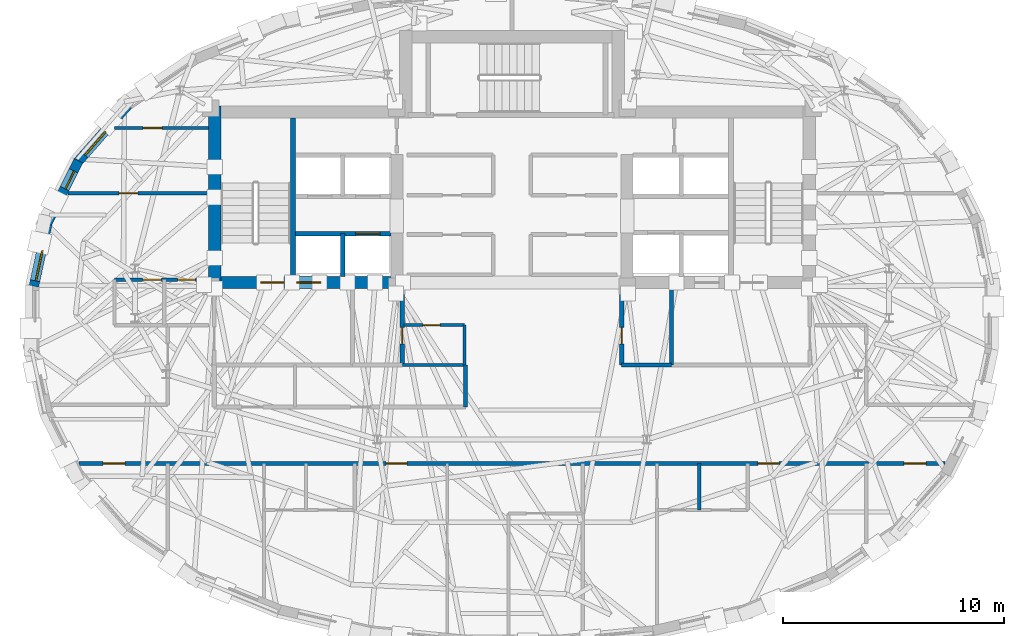
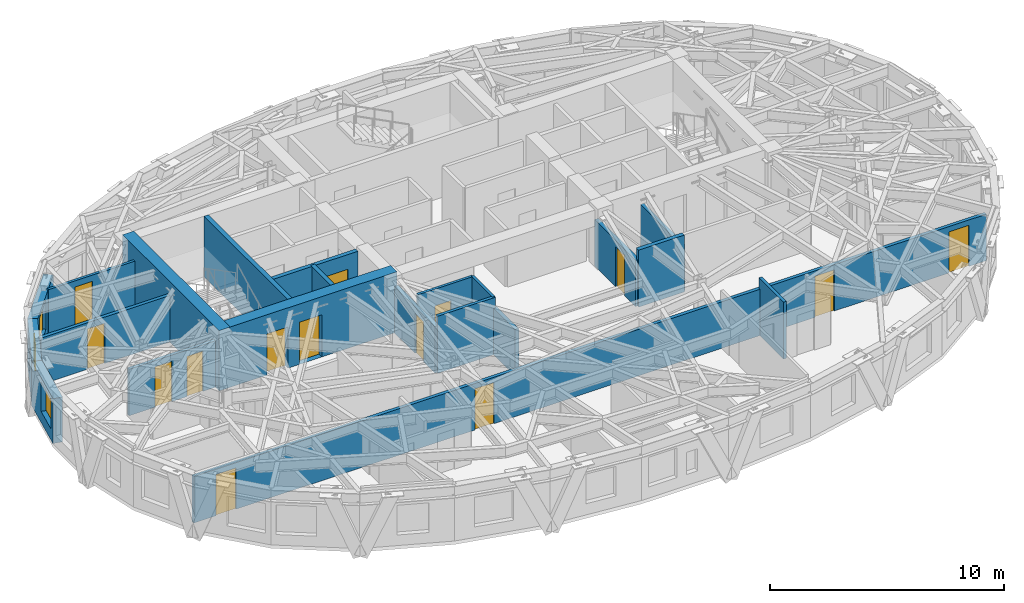
# One storey, part 7 of 13: 21 walls, 14 doors, 3 windows, 17 openings.
"""IFC4 building model written with IfcOpenShell, lengths in metres."""

from ifc_helpers import new_model, si_unit, direction, frame, frame_2d, origin, place, context, subcontext, project, spatial, rectangle, extrude, material, layer, layer_set, type_object, element, fill, save


model = new_model("IFC4")

# Units and contexts
model_context = context("Model", 3, precision=1e-05, world=origin(), true_north=direction((0.0, 1.0)))
body_context = subcontext(model_context, "Body", "Model", "MODEL_VIEW")
ifc_project = project(units=[si_unit("LENGTHUNIT", "METRE"), si_unit("AREAUNIT", "SQUARE_METRE"), si_unit("VOLUMEUNIT", "CUBIC_METRE"), si_unit("PLANEANGLEUNIT", "RADIAN"), si_unit("MASSUNIT", "GRAM", prefix="KILO")], contexts=[model_context])

# Site, building, storey
site_placement = place(None, origin())
site = spatial("IfcSite", under=ifc_project, at=site_placement, CompositionType="ELEMENT")
building_placement = place(site_placement, origin())
building = spatial("IfcBuilding", under=site, at=building_placement, Name="Keldmark Tower", CompositionType="ELEMENT")
storey_placement = place(building_placement, frame((0.0, 0.0, 235.199951171875)))
storey = spatial("IfcBuildingStorey", under=building, at=storey_placement, Name="L66", CompositionType="ELEMENT", Elevation=235.199951171875)

# Walls
ifc_material_1 = material(Name="Heavy Acoustic Plumbing Chase Gypsum Assembly", Category="gypsum")
ifc_layer_1 = layer(ifc_material_1, 0.18994140625)
ifc_layer_set_1 = layer_set([ifc_layer_1], Name="Heavy Acoustic Plumbing Chase Gypsum Assembly")
wall_type_1 = type_object("IfcWallType", Name="Heavy Wet Wall 190 mm", PredefinedType="PLUMBINGWALL", material=ifc_layer_set_1)
wall_1_placement = place(storey_placement, frame((-2.10009765625, -4.050048828125, 0.0), z_axis=(0.0, 0.0, 1.0), x_axis=(0.0, 1.0, 0.0)))
element("IfcWall", 1, at=wall_1_placement, inside=storey, type_object=wall_type_1, Name="L66 Heavy Wet Wall 190 mm SPK-W-E", PredefinedType="PLUMBINGWALL", context=body_context, shape_type="SweptSolid", body=[
    extrude(rectangle(XDim=1.900146484375, YDim=0.18994140625, at=frame_2d((0.9501953125, 0.0))), origin(), (0.0, 0.0, 1.0), 2.423095703125),
])
ifc_material_2 = material(Name="Concrete C50/60", Category="concrete")
ifc_layer_2 = layer(ifc_material_2, 0.550048828125)
ifc_layer_set_2 = layer_set([ifc_layer_2], Name="Concrete C50/60")
wall_type_2 = type_object("IfcWallType", Name="High-Rise Core Shear Wall 550 mm", PredefinedType="SHEAR", material=ifc_layer_set_2)
wall_2_placement = place(storey_placement, frame((-13.425048828125, 1.300048828125, 0.0), z_axis=(0.0, 0.0, 1.0), x_axis=(0.0, 1.0, 0.0)))
element("IfcWall", 2, at=wall_2_placement, inside=storey, type_object=wall_type_2, Name="L66 West Core Outer Shear Wall", PredefinedType="SHEAR", context=body_context, shape_type="SweptSolid", body=[
    extrude(rectangle(XDim=8.25, YDim=0.550048828125, at=frame_2d((4.125, 0.0))), origin(), (0.0, 0.0, 1.0), 3.150146484375),
])

# Wall, openings, doors
wall_3_placement = place(storey_placement, frame((-4.925048828125, 1.574951171875, 0.0), z_axis=(0.0, 0.0, 1.0), x_axis=(-1.0, 0.0, 0.0)))
wall_3 = element("IfcWall", 3, at=wall_3_placement, inside=storey, type_object=wall_type_2, Name="L66 West Core South Shear Wall", PredefinedType="SHEAR", context=body_context, shape_type="SweptSolid", body=[
    extrude(rectangle(XDim=8.77490234375, YDim=0.550048828125, at=frame_2d((4.387451171875, 0.0))), origin(), (0.0, 0.0, 1.0), 3.150146484375),
])
opening_1_placement = place(wall_3_placement, frame((5.375, 0.0, 0.0)))
opening_1 = element("IfcOpeningElement", 4, at=opening_1_placement, cuts=wall_3, Name="Opening D-ST105", PredefinedType="OPENING", context=body_context, shape_type="SweptSolid", body=[
    extrude(rectangle(XDim=1.050048828125, YDim=2.14990234375, at=frame_2d((0.52490234375, 1.074951171875))), frame((0.0, 0.284912109375, 0.0), z_axis=(0.0, -1.0, 0.0), x_axis=(1.0, 0.0, 0.0)), (0.0, 0.0, 1.0), 0.570068359375),
])
opening_2_placement = place(wall_3_placement, frame((3.705078125, 0.0, 0.0)))
opening_2 = element("IfcOpeningElement", 5, at=opening_2_placement, cuts=wall_3, Name="Opening LD-110", PredefinedType="OPENING", context=body_context, shape_type="SweptSolid", body=[
    extrude(rectangle(XDim=1.10009765625, YDim=2.199951171875, at=frame_2d((0.550048828125, 1.10009765625))), frame((0.0, 0.284912109375, 0.0), z_axis=(0.0, -1.0, 0.0), x_axis=(1.0, 0.0, 0.0)), (0.0, 0.0, 1.0), 0.570068359375),
])
ifc_material_3 = material(Name="Brushed Bronze Hoistway Sliding Leaf", Category="metal")
door_type_1 = type_object("IfcDoorType", Name="Lift Landing Sliding Door 1100x2200", OperationType="SLIDING_TO_LEFT", PredefinedType="DOOR", material=ifc_material_3)
door_1_placement = place(opening_2_placement, origin())
door_1 = element("IfcDoor", 6, at=door_1_placement, inside=storey, type_object=door_type_1, Name="L66 Lift Landing Sliding Door 1100x2200 LD-EL-FS1-L66", OperationType="SLIDING_TO_LEFT", OverallHeight=2.199951171875, OverallWidth=1.10009765625, PredefinedType="DOOR", context=body_context, shape_type="SweptSolid", body=[
    extrude(rectangle(XDim=1.10009765625, YDim=2.199951171875, at=frame_2d((0.550048828125, 1.10009765625))), frame((0.0, 0.02490234375, 0.0), z_axis=(0.0, -1.0, 0.0), x_axis=(1.0, 0.0, 0.0)), (0.0, 0.0, 1.0), 0.050048828125),
])
fill(opening_2, door_1)
ifc_material_4 = material(Name="Hollow Metal Fire-Rated Door Assembly", Category="metal")
door_type_2 = type_object("IfcDoorType", Name="Stair Fire Door 1050x2150", OperationType="NOTDEFINED", PredefinedType="DOOR", material=ifc_material_4)
door_2_placement = place(opening_1_placement, origin())
door_2 = element("IfcDoor", 7, at=door_2_placement, inside=storey, type_object=door_type_2, Name="L66 Stair Fire Door 1050x2150 D-ST1-L66", OperationType="SINGLE_SWING_RIGHT", OverallHeight=2.14990234375, OverallWidth=1.050048828125, PredefinedType="DOOR", context=body_context, shape_type="SweptSolid", body=[
    extrude(rectangle(XDim=1.050048828125, YDim=2.14990234375, at=frame_2d((0.52490234375, 1.074951171875))), frame((0.0, 0.02490234375, 0.0), z_axis=(0.0, -1.0, 0.0), x_axis=(1.0, 0.0, 0.0)), (0.0, 0.0, 1.0), 0.050048828125),
])
fill(opening_1, door_2)

# Wall, opening, door
ifc_material_5 = material(Name="Acoustic Gypsum Board Interior Partition", Category="gypsum")
ifc_layer_3 = layer(ifc_material_5, 0.1298828125)
ifc_layer_set_3 = layer_set([ifc_layer_3], Name="Acoustic Gypsum Board Interior Partition")
wall_type_3 = type_object("IfcWallType", Name="Interior Partition 130 mm", PredefinedType="PARTITIONING", material=ifc_layer_set_3)
wall_4_placement = place(storey_placement, frame((-4.8798828125, -0.35009765625, 0.0), z_axis=(0.0, 0.0, 1.0), x_axis=(1.0, 0.0, 0.0)))
wall_4 = element("IfcWall", 8, at=wall_4_placement, inside=storey, type_object=wall_type_3, Name="L66 Interior Partition 130 mm CSC-W-N", PredefinedType="PARTITIONING", context=body_context, shape_type="SweptSolid", body=[
    extrude(rectangle(XDim=2.72998046875, YDim=0.1298828125, at=frame_2d((1.364990234375, 0.0))), origin(), (0.0, 0.0, 1.0), 2.969970703125),
])
opening_3_placement = place(wall_4_placement, frame((0.85009765625, 0.0, 0.0)))
opening_3 = element("IfcOpeningElement", 9, at=opening_3_placement, cuts=wall_4, Name="Opening D-CL078", PredefinedType="OPENING", context=body_context, shape_type="SweptSolid", body=[
    extrude(rectangle(XDim=0.780029296875, YDim=2.10009765625, at=frame_2d((0.39013671875, 1.050048828125))), frame((0.0, 0.074951171875, 0.0), z_axis=(0.0, -1.0, 0.0), x_axis=(1.0, 0.0, 0.0)), (0.0, 0.0, 1.0), 0.14990234375),
])
ifc_material_6 = material(Name="Flush Utility Closet Timber Door", Category="wood")
door_type_3 = type_object("IfcDoorType", Name="Closet Door 780x2100", OperationType="NOTDEFINED", PredefinedType="DOOR", material=ifc_material_6)
door_3_placement = place(opening_3_placement, origin())
door_3 = element("IfcDoor", 10, at=door_3_placement, inside=storey, type_object=door_type_3, Name="L66 Closet Door 780x2100 D-CSCW1-L66", OperationType="SINGLE_SWING_LEFT", OverallHeight=2.10009765625, OverallWidth=0.780029296875, PredefinedType="DOOR", context=body_context, shape_type="SweptSolid", body=[
    extrude(rectangle(XDim=0.780029296875, YDim=2.10009765625, at=frame_2d((0.39013671875, 1.050048828125))), frame((0.0, 0.02490234375, 0.0), z_axis=(0.0, -1.0, 0.0), x_axis=(1.0, 0.0, 0.0)), (0.0, 0.0, 1.0), 0.050048828125),
])
fill(opening_3, door_3)

# Wall
wall_5_placement = place(storey_placement, frame((-2.14990234375, -2.14990234375, 0.0), z_axis=(0.0, 0.0, 1.0), x_axis=(0.0, 1.0, 0.0)))
element("IfcWall", 11, at=wall_5_placement, inside=storey, type_object=wall_type_3, Name="L66 Interior Partition 130 mm CSC-W-E", PredefinedType="PARTITIONING", context=body_context, shape_type="SweptSolid", body=[
    extrude(rectangle(XDim=1.7998046875, YDim=0.1298828125, at=frame_2d((0.89990234375, 0.0))), origin(), (0.0, 0.0, 1.0), 2.969970703125),
])

# Wall, opening, door
wall_6_placement = place(storey_placement, frame((-17.958251953125, 8.550048828125, 0.0), z_axis=(0.0, 0.0, 1.0), x_axis=(1.0, 0.0, 0.0)))
wall_6 = element("IfcWall", 12, at=wall_6_placement, inside=storey, type_object=wall_type_3, Name="L66 Interior Partition 130 mm UC-NDIV2", PredefinedType="PARTITIONING", context=body_context, shape_type="SweptSolid", body=[
    extrude(rectangle(XDim=4.25830078125, YDim=0.1298828125, at=frame_2d((2.129150390625, 0.0))), origin(), (0.0, 0.0, 1.0), 2.423095703125),
])
opening_4_placement = place(wall_6_placement, frame((1.302001953125, 0.0, 0.0)))
opening_4 = element("IfcOpeningElement", 13, at=opening_4_placement, cuts=wall_6, Name="Opening D-IN085", PredefinedType="OPENING", context=body_context, shape_type="SweptSolid", body=[
    extrude(rectangle(XDim=0.85009765625, YDim=2.10009765625, at=frame_2d((0.425048828125, 1.050048828125))), frame((0.0, 0.074951171875, 0.0), z_axis=(0.0, -1.0, 0.0), x_axis=(1.0, 0.0, 0.0)), (0.0, 0.0, 1.0), 0.14990234375),
])
ifc_material_7 = material(Name="Painted Architectural Wood", Category="wood")
door_type_4 = type_object("IfcDoorType", Name="Interior Door 850x2100", OperationType="NOTDEFINED", PredefinedType="DOOR", material=ifc_material_7)
door_4_placement = place(opening_4_placement, origin())
door_4 = element("IfcDoor", 14, at=door_4_placement, inside=storey, type_object=door_type_4, Name="L66 Interior Door 850x2100 D-UC-BR2-L66", OperationType="SINGLE_SWING_RIGHT", OverallHeight=2.10009765625, OverallWidth=0.85009765625, PredefinedType="DOOR", context=body_context, shape_type="SweptSolid", body=[
    extrude(rectangle(XDim=0.85009765625, YDim=2.10009765625, at=frame_2d((0.425048828125, 1.050048828125))), frame((0.0, 0.02490234375, 0.0), z_axis=(0.0, -1.0, 0.0), x_axis=(1.0, 0.0, 0.0)), (0.0, 0.0, 1.0), 0.050048828125),
])
fill(opening_4, door_4)

# Wall
ifc_material_8 = material(Name="Type X Fire-Rated Gypsum Partition Assembly", Category="gypsum")
ifc_layer_4 = layer(ifc_material_8, 0.1650390625)
ifc_layer_set_4 = layer_set([ifc_layer_4], Name="Type X Fire-Rated Gypsum Partition Assembly")
wall_type_4 = type_object("IfcWallType", Name="Rated Partition 165 mm", PredefinedType="PARTITIONING", material=ifc_layer_set_4)
wall_7_placement = place(storey_placement, frame((7.199951171875, -2.14990234375, 0.0), z_axis=(0.0, 0.0, 1.0), x_axis=(0.0, 1.0, 0.0)))
element("IfcWall", 15, at=wall_7_placement, inside=storey, type_object=wall_type_4, Name="L66 Rated Partition 165 mm FSAE-E-W", PredefinedType="PARTITIONING", context=body_context, shape_type="SweptSolid", body=[
    extrude(rectangle(XDim=3.5, YDim=0.1650390625, at=frame_2d((1.75, 0.0))), origin(), (0.0, 0.0, 1.0), 2.423095703125),
])

# Wall, openings, doors
wall_8_placement = place(storey_placement, frame((-19.55810546875, -6.60009765625, 0.0), z_axis=(0.0, 0.0, 1.0), x_axis=(1.0, 0.0, 0.0)))
wall_8 = element("IfcWall", 16, at=wall_8_placement, inside=storey, type_object=wall_type_4, Name="L66 Rated Partition 165 mm RCOR-S", PredefinedType="PARTITIONING", context=body_context, shape_type="SweptSolid", body=[
    extrude(rectangle(XDim=39.1162109375, YDim=0.1650390625, at=frame_2d((19.55810546875, 0.0))), origin(), (0.0, 0.0, 1.0), 2.423095703125),
])
opening_5_placement = place(wall_8_placement, frame((1.0830078125, 0.0, 0.0)))
opening_5 = element("IfcOpeningElement", 17, at=opening_5_placement, cuts=wall_8, Name="Opening D-FD100", PredefinedType="OPENING", context=body_context, shape_type="SweptSolid", body=[
    extrude(rectangle(XDim=1.0, YDim=2.14990234375, at=frame_2d((0.5, 1.074951171875))), frame((0.0, 0.092529296875, 0.0), z_axis=(0.0, -1.0, 0.0), x_axis=(1.0, 0.0, 0.0)), (0.0, 0.0, 1.0), 0.18505859375),
])
opening_6_placement = place(wall_8_placement, frame((37.2578125, 0.0, 0.0)))
opening_6 = element("IfcOpeningElement", 18, at=opening_6_placement, cuts=wall_8, Name="Opening D-FD100", PredefinedType="OPENING", context=body_context, shape_type="SweptSolid", body=[
    extrude(rectangle(XDim=1.0, YDim=2.14990234375, at=frame_2d((0.5, 1.074951171875))), frame((0.0, 0.092529296875, 0.0), z_axis=(0.0, -1.0, 0.0), x_axis=(1.0, 0.0, 0.0)), (0.0, 0.0, 1.0), 0.18505859375),
])
opening_7_placement = place(wall_8_placement, frame((13.867919921875, 0.0, 0.0)))
opening_7 = element("IfcOpeningElement", 19, at=opening_7_placement, cuts=wall_8, Name="Opening D-AP095", PredefinedType="OPENING", context=body_context, shape_type="SweptSolid", body=[
    extrude(rectangle(XDim=0.949951171875, YDim=2.14990234375, at=frame_2d((0.47509765625, 1.074951171875))), frame((0.0, 0.092529296875, 0.0), z_axis=(0.0, -1.0, 0.0), x_axis=(1.0, 0.0, 0.0)), (0.0, 0.0, 1.0), 0.18505859375),
])
opening_8_placement = place(wall_8_placement, frame((30.657958984375, 0.0, 0.0)))
opening_8 = element("IfcOpeningElement", 20, at=opening_8_placement, cuts=wall_8, Name="Opening D-AP095", PredefinedType="OPENING", context=body_context, shape_type="SweptSolid", body=[
    extrude(rectangle(XDim=0.949951171875, YDim=2.14990234375, at=frame_2d((0.47509765625, 1.074951171875))), frame((0.0, 0.092529296875, 0.0), z_axis=(0.0, -1.0, 0.0), x_axis=(1.0, 0.0, 0.0)), (0.0, 0.0, 1.0), 0.18505859375),
])
ifc_material_9 = material(Name="Solid-Core Walnut Fire-Rated Entry Assembly", Category="wood")
door_type_5 = type_object("IfcDoorType", Name="Apartment Entry Door 950x2150", OperationType="NOTDEFINED", PredefinedType="DOOR", material=ifc_material_9)
door_5_placement = place(opening_7_placement, origin())
door_5 = element("IfcDoor", 21, at=door_5_placement, inside=storey, type_object=door_type_5, Name="L66 Apartment Entry Door 950x2150 D-UA-ENT-L66", OperationType="SINGLE_SWING_RIGHT", OverallHeight=2.14990234375, OverallWidth=0.949951171875, PredefinedType="DOOR", context=body_context, shape_type="SweptSolid", body=[
    extrude(rectangle(XDim=0.949951171875, YDim=2.14990234375, at=frame_2d((0.47509765625, 1.074951171875))), frame((0.0, 0.02490234375, 0.0), z_axis=(0.0, -1.0, 0.0), x_axis=(1.0, 0.0, 0.0)), (0.0, 0.0, 1.0), 0.050048828125),
])
fill(opening_7, door_5)
door_6_placement = place(opening_8_placement, origin())
door_6 = element("IfcDoor", 22, at=door_6_placement, inside=storey, type_object=door_type_5, Name="L66 Apartment Entry Door 950x2150 D-UB-ENT-L66", OperationType="SINGLE_SWING_LEFT", OverallHeight=2.14990234375, OverallWidth=0.949951171875, PredefinedType="DOOR", context=body_context, shape_type="SweptSolid", body=[
    extrude(rectangle(XDim=0.949951171875, YDim=2.14990234375, at=frame_2d((0.47509765625, 1.074951171875))), frame((0.0, 0.02490234375, 0.0), z_axis=(0.0, -1.0, 0.0), x_axis=(1.0, 0.0, 0.0)), (0.0, 0.0, 1.0), 0.050048828125),
])
fill(opening_8, door_6)
ifc_material_10 = material(Name="Hollow Metal Fire-Rated Corridor Door", Category="metal")
door_type_6 = type_object("IfcDoorType", Name="Fire Door 1000x2150", OperationType="NOTDEFINED", PredefinedType="DOOR", material=ifc_material_10)
door_7_placement = place(opening_5_placement, origin())
door_7 = element("IfcDoor", 23, at=door_7_placement, inside=storey, type_object=door_type_6, Name="L66 Fire Door 1000x2150 D-RSCW-L66", OperationType="SINGLE_SWING_LEFT", OverallHeight=2.14990234375, OverallWidth=1.0, PredefinedType="DOOR", context=body_context, shape_type="SweptSolid", body=[
    extrude(rectangle(XDim=1.0, YDim=2.14990234375, at=frame_2d((0.5, 1.074951171875))), frame((0.0, 0.02490234375, 0.0), z_axis=(0.0, -1.0, 0.0), x_axis=(1.0, 0.0, 0.0)), (0.0, 0.0, 1.0), 0.050048828125),
])
fill(opening_5, door_7)
door_8_placement = place(opening_6_placement, origin())
door_8 = element("IfcDoor", 24, at=door_8_placement, inside=storey, type_object=door_type_6, Name="L66 Fire Door 1000x2150 D-RSCE-L66", OperationType="SINGLE_SWING_RIGHT", OverallHeight=2.14990234375, OverallWidth=1.0, PredefinedType="DOOR", context=body_context, shape_type="SweptSolid", body=[
    extrude(rectangle(XDim=1.0, YDim=2.14990234375, at=frame_2d((0.5, 1.074951171875))), frame((0.0, 0.02490234375, 0.0), z_axis=(0.0, -1.0, 0.0), x_axis=(1.0, 0.0, 0.0)), (0.0, 0.0, 1.0), 0.050048828125),
])
fill(opening_6, door_8)

# Wall, opening, door
wall_9_placement = place(storey_placement, frame((-20.059814453125, 5.60009765625, 0.0), z_axis=(0.0, 0.0, 1.0), x_axis=(1.0, 0.0, 0.0)))
wall_9 = element("IfcWall", 25, at=wall_9_placement, inside=storey, type_object=wall_type_4, Name="L66 Rated Partition 165 mm RW-NDIV", PredefinedType="PARTITIONING", context=body_context, shape_type="SweptSolid", body=[
    extrude(rectangle(XDim=6.35986328125, YDim=0.1650390625, at=frame_2d((3.179931640625, 0.0))), origin(), (0.0, 0.0, 1.0), 2.423095703125),
])
opening_9_placement = place(wall_9_placement, frame((2.308837890625, 0.0, 0.0)))
opening_9 = element("IfcOpeningElement", 26, at=opening_9_placement, cuts=wall_9, Name="Opening D-BR085", PredefinedType="OPENING", context=body_context, shape_type="SweptSolid", body=[
    extrude(rectangle(XDim=0.85009765625, YDim=2.10009765625, at=frame_2d((0.425048828125, 1.050048828125))), frame((0.0, 0.092529296875, 0.0), z_axis=(0.0, -1.0, 0.0), x_axis=(1.0, 0.0, 0.0)), (0.0, 0.0, 1.0), 0.18505859375),
])
ifc_material_11 = material(Name="Solid-Core Stained Walnut Wood", Category="wood")
door_type_7 = type_object("IfcDoorType", Name="Bedroom Door 850x2100", OperationType="NOTDEFINED", PredefinedType="DOOR", material=ifc_material_11)
door_9_placement = place(opening_9_placement, origin())
door_9 = element("IfcDoor", 27, at=door_9_placement, inside=storey, type_object=door_type_7, Name="L66 Bedroom Door 850x2100 D-UC-BR1-L66", OperationType="SINGLE_SWING_LEFT", OverallHeight=2.10009765625, OverallWidth=0.85009765625, PredefinedType="DOOR", context=body_context, shape_type="SweptSolid", body=[
    extrude(rectangle(XDim=0.85009765625, YDim=2.10009765625, at=frame_2d((0.425048828125, 1.050048828125))), frame((0.0, 0.02490234375, 0.0), z_axis=(0.0, -1.0, 0.0), x_axis=(1.0, 0.0, 0.0)), (0.0, 0.0, 1.0), 0.050048828125),
])
fill(opening_9, door_9)

ifc_material_12 = material(Name="Fire-Resistant Type X Gypsum Shaftliner Coreboard", Category="gypsum")
ifc_layer_5 = layer(ifc_material_12, 0.199951171875)
ifc_layer_set_5 = layer_set([ifc_layer_5], Name="Fire-Resistant Type X Gypsum Shaftliner Coreboard")
wall_type_5 = type_object("IfcWallType", Name="Shaft Wall 200 mm", PredefinedType="SOLIDWALL", material=ifc_layer_set_5)
wall_10_placement = place(storey_placement, frame((-4.949951171875, -2.14990234375, 0.0), z_axis=(0.0, 0.0, 1.0), x_axis=(0.0, 1.0, 0.0)))
wall_10 = element("IfcWall", 28, at=wall_10_placement, inside=storey, type_object=wall_type_5, Name="L66 Shaft Wall 200 mm RIS-SW-E", PredefinedType="SOLIDWALL", context=body_context, shape_type="SweptSolid", body=[
    extrude(rectangle(XDim=3.5, YDim=0.199951171875, at=frame_2d((1.75, 0.0))), origin(), (0.0, 0.0, 1.0), 2.423095703125),
])
opening_10_placement = place(wall_10_placement, frame((0.949951171875, 0.0, 0.0)))
opening_10 = element("IfcOpeningElement", 29, at=opening_10_placement, cuts=wall_10, Name="Opening D-RS075", PredefinedType="OPENING", context=body_context, shape_type="SweptSolid", body=[
    extrude(rectangle(XDim=0.75, YDim=2.10009765625, at=frame_2d((0.375, 1.050048828125))), frame((0.0, 0.10986328125, 0.0), z_axis=(0.0, -1.0, 0.0), x_axis=(1.0, 0.0, 0.0)), (0.0, 0.0, 1.0), 0.219970703125),
])
ifc_material_13 = material(Name="Galvanized Fire-Rated Access Leaf", Category="metal")
door_type_8 = type_object("IfcDoorType", Name="Riser Access Door 750x2100", OperationType="NOTDEFINED", PredefinedType="DOOR", material=ifc_material_13)
door_10_placement = place(opening_10_placement, origin())
door_10 = element("IfcDoor", 30, at=door_10_placement, inside=storey, type_object=door_type_8, Name="L66 Riser Access Door 750x2100 D-RISSW-L66", OperationType="SINGLE_SWING_RIGHT", OverallHeight=2.10009765625, OverallWidth=0.75, PredefinedType="DOOR", context=body_context, shape_type="SweptSolid", body=[
    extrude(rectangle(XDim=0.75, YDim=2.10009765625, at=frame_2d((0.375, 1.050048828125))), frame((0.0, 0.02490234375, 0.0), z_axis=(0.0, -1.0, 0.0), x_axis=(1.0, 0.0, 0.0)), (0.0, 0.0, 1.0), 0.050048828125),
])
fill(opening_10, door_10)

# Wall
wall_11_placement = place(storey_placement, frame((4.949951171875, -2.14990234375, 0.0), z_axis=(0.0, 0.0, 1.0), x_axis=(1.0, 0.0, 0.0)))
element("IfcWall", 31, at=wall_11_placement, inside=storey, type_object=wall_type_5, Name="L66 Shaft Wall 200 mm RIS-SE-S", PredefinedType="SOLIDWALL", context=body_context, shape_type="SweptSolid", body=[
    extrude(rectangle(XDim=2.25, YDim=0.199951171875, at=frame_2d((1.125, 0.0))), origin(), (0.0, 0.0, 1.0), 2.969970703125),
])

# Wall, opening, door
wall_12_placement = place(storey_placement, frame((4.949951171875, -2.14990234375, 0.0), z_axis=(0.0, 0.0, 1.0), x_axis=(0.0, 1.0, 0.0)))
wall_12 = element("IfcWall", 32, at=wall_12_placement, inside=storey, type_object=wall_type_5, Name="L66 Shaft Wall 200 mm RIS-SE-W", PredefinedType="SOLIDWALL", context=body_context, shape_type="SweptSolid", body=[
    extrude(rectangle(XDim=3.5, YDim=0.199951171875, at=frame_2d((1.75, 0.0))), origin(), (0.0, 0.0, 1.0), 2.423095703125),
])
opening_11_placement = place(wall_12_placement, frame((0.949951171875, 0.0, 0.0)))
opening_11 = element("IfcOpeningElement", 33, at=opening_11_placement, cuts=wall_12, Name="Opening D-RS075", PredefinedType="OPENING", context=body_context, shape_type="SweptSolid", body=[
    extrude(rectangle(XDim=0.75, YDim=2.10009765625, at=frame_2d((0.375, 1.050048828125))), frame((0.0, 0.10986328125, 0.0), z_axis=(0.0, -1.0, 0.0), x_axis=(1.0, 0.0, 0.0)), (0.0, 0.0, 1.0), 0.219970703125),
])
door_11_placement = place(opening_11_placement, origin())
door_11 = element("IfcDoor", 34, at=door_11_placement, inside=storey, type_object=door_type_8, Name="L66 Riser Access Door 750x2100 D-RISSE-L66", OperationType="SINGLE_SWING_LEFT", OverallHeight=2.10009765625, OverallWidth=0.75, PredefinedType="DOOR", context=body_context, shape_type="SweptSolid", body=[
    extrude(rectangle(XDim=0.75, YDim=2.10009765625, at=frame_2d((0.375, 1.050048828125))), frame((0.0, 0.02490234375, 0.0), z_axis=(0.0, -1.0, 0.0), x_axis=(1.0, 0.0, 0.0)), (0.0, 0.0, 1.0), 0.050048828125),
])
fill(opening_11, door_11)

wall_13_placement = place(storey_placement, frame((-9.780029296875, 3.780029296875, 0.0), z_axis=(0.0, 0.0, 1.0), x_axis=(1.0, 0.0, 0.0)))
wall_13 = element("IfcWall", 35, at=wall_13_placement, inside=storey, type_object=wall_type_5, Name="L66 Shaft Wall 200 mm HW-W-S", PredefinedType="SOLIDWALL", context=body_context, shape_type="SweptSolid", body=[
    extrude(rectangle(XDim=4.304931640625, YDim=0.199951171875, at=frame_2d((2.15234375, 0.0))), origin(), (0.0, 0.0, 1.0), 2.969970703125),
])
opening_12_placement = place(wall_13_placement, frame((2.719970703125, 0.0, 0.0)))
opening_12 = element("IfcOpeningElement", 36, at=opening_12_placement, cuts=wall_13, Name="Opening LD-110", PredefinedType="OPENING", context=body_context, shape_type="SweptSolid", body=[
    extrude(rectangle(XDim=1.10009765625, YDim=2.199951171875, at=frame_2d((0.550048828125, 1.10009765625))), frame((0.0, 0.10986328125, 0.0), z_axis=(0.0, -1.0, 0.0), x_axis=(1.0, 0.0, 0.0)), (0.0, 0.0, 1.0), 0.219970703125),
])
door_12_placement = place(opening_12_placement, origin())
door_12 = element("IfcDoor", 37, at=door_12_placement, inside=storey, type_object=door_type_1, Name="L66 Lift Landing Sliding Door 1100x2200 LD-EL-H3-L66", OperationType="SLIDING_TO_LEFT", OverallHeight=2.199951171875, OverallWidth=1.10009765625, PredefinedType="DOOR", context=body_context, shape_type="SweptSolid", body=[
    extrude(rectangle(XDim=1.10009765625, YDim=2.199951171875, at=frame_2d((0.550048828125, 1.10009765625))), frame((0.0, 0.02490234375, 0.0), z_axis=(0.0, -1.0, 0.0), x_axis=(1.0, 0.0, 0.0)), (0.0, 0.0, 1.0), 0.050048828125),
])
fill(opening_12, door_12)

# Walls
wall_14_placement = place(storey_placement, frame((-7.64990234375, 1.85009765625, 0.0), z_axis=(0.0, 0.0, 1.0), x_axis=(0.0, 1.0, 0.0)))
element("IfcWall", 38, at=wall_14_placement, inside=storey, type_object=wall_type_5, Name="L66 Shaft Wall 200 mm HW-W-M", PredefinedType="SOLIDWALL", context=body_context, shape_type="SweptSolid", body=[
    extrude(rectangle(XDim=1.929931640625, YDim=0.199951171875, at=frame_2d((0.96484375, 0.0))), origin(), (0.0, 0.0, 1.0), 2.969970703125),
])
ifc_material_14 = material(Name="Concrete C50/60", Category="concrete")
ifc_layer_6 = layer(ifc_material_14, 0.219970703125)
ifc_layer_set_6 = layer_set([ifc_layer_6], Name="Concrete C50/60")
wall_type_6 = type_object("IfcWallType", Name="Stair Core Shear Wall 220 mm", PredefinedType="SHEAR", material=ifc_layer_set_6)
wall_15_placement = place(storey_placement, frame((-9.889892578125, 1.85009765625, 0.0), z_axis=(0.0, 0.0, 1.0), x_axis=(0.0, 1.0, 0.0)))
element("IfcWall", 39, at=wall_15_placement, inside=storey, type_object=wall_type_6, Name="L66 West Stair Core Shear Wall", PredefinedType="SHEAR", context=body_context, shape_type="SweptSolid", body=[
    extrude(rectangle(XDim=7.14990234375, YDim=0.219970703125, at=frame_2d((3.574951171875, 0.0))), origin(), (0.0, 0.0, 1.0), 3.150146484375),
])

# Wall, opening, window
ifc_material_15 = material(Name="Ironspot Manganese Brick and Kasota Buff Limestone Spandrel Assembly", Category="masonry")
ifc_layer_7 = layer(ifc_material_15, 0.43994140625)
ifc_layer_set_7 = layer_set([ifc_layer_7], Name="Ironspot Manganese Brick and Kasota Buff Limestone Spandrel Assembly")
wall_type_7 = type_object("IfcWallType", Name="Tower Brick Pier and Spandrel Wall 440 mm", PredefinedType="STANDARD", material=ifc_layer_set_7)
wall_16_placement = place(storey_placement, frame((-19.609619140625, 7.021728515625, 0.0), z_axis=(0.0, 0.0, 1.0), x_axis=(0.66136043846, 0.750068243855, 0.0)))
wall_16 = element("IfcWall", 40, at=wall_16_placement, inside=storey, type_object=wall_type_7, Name="L66 Exterior Brick and Spandrel Wall 13", PredefinedType="STANDARD", context=body_context, shape_type="SweptSolid", body=[
    extrude(rectangle(XDim=3.431884765625, YDim=0.43994140625, at=frame_2d((1.7158203125, 0.0))), origin(), (0.0, 0.0, 1.0), 2.3359375),
])
opening_13_placement = place(wall_16_placement, frame((0.447265625, 0.0, 0.580078125)))
opening_13 = element("IfcOpeningElement", 41, at=opening_13_placement, cuts=wall_16, Name="Opening W-08", PredefinedType="OPENING", context=body_context, shape_type="SweptSolid", body=[
    extrude(rectangle(XDim=1.39990234375, YDim=1.550048828125, at=frame_2d((0.699951171875, 0.77490234375))), frame((0.0, 0.22998046875, 0.0), z_axis=(0.0, -1.0, 0.0), x_axis=(1.0, 0.0, 0.0)), (0.0, 0.0, 1.0), 0.4599609375),
])
ifc_material_16 = material(Name="Thermally Broken Anodized Aluminum and Triple Low-E Argon Glazing", Category="aluminium")
window_type_1 = type_object("IfcWindowType", Name="Residential Corner Punched Window 1400x1550", PartitioningType="SINGLE_PANEL", PredefinedType="WINDOW", material=ifc_material_16)
window_1_placement = place(opening_13_placement, origin())
window_1 = element("IfcWindow", 42, at=window_1_placement, inside=storey, type_object=window_type_1, Name="L66 Deep-Set Window 13", OverallHeight=1.550048828125, OverallWidth=1.39990234375, PartitioningType="SINGLE_PANEL", PredefinedType="WINDOW", context=body_context, shape_type="SweptSolid", body=[
    extrude(rectangle(XDim=1.39990234375, YDim=1.550048828125, at=frame_2d((0.699951171875, 0.77490234375))), frame((0.0, -0.010009765625, 0.0), z_axis=(0.0, -1.0, 0.0), x_axis=(1.0, 0.0, 0.0)), (0.0, 0.0, 1.0), 0.06005859375),
])
fill(opening_13, window_1)

wall_17_placement = place(storey_placement, frame((-20.98779296875, 4.2587890625, 0.0), z_axis=(0.0, 0.0, 1.0), x_axis=(0.448424724145, 0.893820601002, 0.0)))
wall_17 = element("IfcWall", 43, at=wall_17_placement, inside=storey, type_object=wall_type_7, Name="L66 Exterior Brick and Spandrel Wall 14", PredefinedType="STANDARD", context=body_context, shape_type="SweptSolid", body=[
    extrude(rectangle(XDim=3.1435546875, YDim=0.43994140625, at=frame_2d((1.57177734375, 0.0))), origin(), (0.0, 0.0, 1.0), 2.3359375),
])
opening_14_placement = place(wall_17_placement, frame((1.74462890625, 0.0, 0.580078125)))
opening_14 = element("IfcOpeningElement", 44, at=opening_14_placement, cuts=wall_17, Name="Opening W-09", PredefinedType="OPENING", context=body_context, shape_type="SweptSolid", body=[
    extrude(rectangle(XDim=0.89990234375, YDim=1.35009765625, at=frame_2d((0.449951171875, 0.675048828125))), frame((0.0, 0.22998046875, 0.0), z_axis=(0.0, -1.0, 0.0), x_axis=(1.0, 0.0, 0.0)), (0.0, 0.0, 1.0), 0.4599609375),
])
ifc_material_17 = material(Name="Thermally Broken Anodized Aluminum and Triple Low-E Argon Glazing", Category="aluminium")
window_type_2 = type_object("IfcWindowType", Name="Corner Pier Deep-Set Window 900x1350", PartitioningType="SINGLE_PANEL", PredefinedType="WINDOW", material=ifc_material_17)
window_2_placement = place(opening_14_placement, origin())
window_2 = element("IfcWindow", 45, at=window_2_placement, inside=storey, type_object=window_type_2, Name="L66 Deep-Set Window 14", OverallHeight=1.35009765625, OverallWidth=0.89990234375, PartitioningType="SINGLE_PANEL", PredefinedType="WINDOW", context=body_context, shape_type="SweptSolid", body=[
    extrude(rectangle(XDim=0.89990234375, YDim=1.35009765625, at=frame_2d((0.449951171875, 0.675048828125))), frame((0.0, -0.010009765625, 0.0), z_axis=(0.0, -1.0, 0.0), x_axis=(1.0, 0.0, 0.0)), (0.0, 0.0, 1.0), 0.06005859375),
])
fill(opening_14, window_2)

wall_18_placement = place(storey_placement, frame((-21.59423828125, 1.410400390625, 0.0), z_axis=(0.0, 0.0, 1.0), x_axis=(0.210540350534, 0.977585168053, 0.0)))
wall_18 = element("IfcWall", 46, at=wall_18_placement, inside=storey, type_object=wall_type_7, Name="L66 Exterior Brick and Spandrel Wall 15", PredefinedType="STANDARD", context=body_context, shape_type="SweptSolid", body=[
    extrude(rectangle(XDim=2.96728515625, YDim=0.43994140625, at=frame_2d((1.483642578125, 0.0))), origin(), (0.0, 0.0, 1.0), 2.3359375),
])
opening_15_placement = place(wall_18_placement, frame((0.24853515625, 0.0, 0.580078125)))
opening_15 = element("IfcOpeningElement", 47, at=opening_15_placement, cuts=wall_18, Name="Opening W-08", PredefinedType="OPENING", context=body_context, shape_type="SweptSolid", body=[
    extrude(rectangle(XDim=1.39990234375, YDim=1.550048828125, at=frame_2d((0.699951171875, 0.77490234375))), frame((0.0, 0.22998046875, 0.0), z_axis=(0.0, -1.0, 0.0), x_axis=(1.0, 0.0, 0.0)), (0.0, 0.0, 1.0), 0.4599609375),
])
window_3_placement = place(opening_15_placement, origin())
window_3 = element("IfcWindow", 48, at=window_3_placement, inside=storey, type_object=window_type_1, Name="L66 Deep-Set Window 15", OverallHeight=1.550048828125, OverallWidth=1.39990234375, PartitioningType="SINGLE_PANEL", PredefinedType="WINDOW", context=body_context, shape_type="SweptSolid", body=[
    extrude(rectangle(XDim=1.39990234375, YDim=1.550048828125, at=frame_2d((0.699951171875, 0.77490234375))), frame((0.0, -0.010009765625, 0.0), z_axis=(0.0, -1.0, 0.0), x_axis=(1.0, 0.0, 0.0)), (0.0, 0.0, 1.0), 0.06005859375),
])
fill(opening_15, window_3)

# Walls
ifc_material_18 = material(Name="Moisture-Resistant Gypsum Plumbing Partition", Category="gypsum")
ifc_layer_8 = layer(ifc_material_18, 0.14990234375)
ifc_layer_set_8 = layer_set([ifc_layer_8], Name="Moisture-Resistant Gypsum Plumbing Partition")
wall_type_8 = type_object("IfcWallType", Name="Wet Wall 150 mm", PredefinedType="PLUMBINGWALL", material=ifc_layer_set_8)
wall_19_placement = place(storey_placement, frame((-4.949951171875, -2.14990234375, 0.0), z_axis=(0.0, 0.0, 1.0), x_axis=(1.0, 0.0, 0.0)))
element("IfcWall", 49, at=wall_19_placement, inside=storey, type_object=wall_type_8, Name="L66 Wet Wall 150 mm SPK-W-N", PredefinedType="PLUMBINGWALL", context=body_context, shape_type="SweptSolid", body=[
    extrude(rectangle(XDim=2.849853515625, YDim=0.14990234375, at=frame_2d((1.4248046875, 0.0))), origin(), (0.0, 0.0, 1.0), 2.969970703125),
])
wall_20_placement = place(storey_placement, frame((8.449951171875, -8.699951171875, 0.0), z_axis=(0.0, 0.0, 1.0), x_axis=(0.0, 1.0, 0.0)))
element("IfcWall", 50, at=wall_20_placement, inside=storey, type_object=wall_type_8, Name="L66 Wet Wall 150 mm UB-BK-M", PredefinedType="PLUMBINGWALL", context=body_context, shape_type="SweptSolid", body=[
    extrude(rectangle(XDim=2.099853515625, YDim=0.14990234375, at=frame_2d((1.0498046875, 0.0))), origin(), (0.0, 0.0, 1.0), 2.969970703125),
])

# Wall, openings, doors
wall_21_placement = place(storey_placement, frame((-17.949951171875, 1.699951171875, 0.0), z_axis=(0.0, 0.0, 1.0), x_axis=(1.0, 0.0, 0.0)))
wall_21 = element("IfcWall", 51, at=wall_21_placement, inside=storey, type_object=wall_type_8, Name="L66 Wet Wall 150 mm UC-BK-N", PredefinedType="PLUMBINGWALL", context=body_context, shape_type="SweptSolid", body=[
    extrude(rectangle(XDim=4.25, YDim=0.14990234375, at=frame_2d((2.125, 0.0))), origin(), (0.0, 0.0, 1.0), 2.423095703125),
])
opening_16_placement = place(wall_21_placement, frame((2.85009765625, 0.0, 0.0)))
opening_16 = element("IfcOpeningElement", 52, at=opening_16_placement, cuts=wall_21, Name="Opening D-BT080", PredefinedType="OPENING", context=body_context, shape_type="SweptSolid", body=[
    extrude(rectangle(XDim=0.800048828125, YDim=2.10009765625, at=frame_2d((0.39990234375, 1.050048828125))), frame((0.0, 0.0849609375, 0.0), z_axis=(0.0, -1.0, 0.0), x_axis=(1.0, 0.0, 0.0)), (0.0, 0.0, 1.0), 0.169921875),
])
opening_17_placement = place(wall_21_placement, frame((1.27001953125, 0.0, 0.0)))
opening_17 = element("IfcOpeningElement", 53, at=opening_17_placement, cuts=wall_21, Name="Opening D-IN085", PredefinedType="OPENING", context=body_context, shape_type="SweptSolid", body=[
    extrude(rectangle(XDim=0.85009765625, YDim=2.10009765625, at=frame_2d((0.425048828125, 1.050048828125))), frame((0.0, 0.0849609375, 0.0), z_axis=(0.0, -1.0, 0.0), x_axis=(1.0, 0.0, 0.0)), (0.0, 0.0, 1.0), 0.169921875),
])
ifc_material_19 = material(Name="Moisture-Sealed Stained Wood", Category="wood")
door_type_9 = type_object("IfcDoorType", Name="Bathroom Door 800x2100", OperationType="NOTDEFINED", PredefinedType="DOOR", material=ifc_material_19)
door_13_placement = place(opening_16_placement, origin())
door_13 = element("IfcDoor", 54, at=door_13_placement, inside=storey, type_object=door_type_9, Name="L66 Bathroom Door 800x2100 D-UC-BATH-L66", OperationType="SINGLE_SWING_LEFT", OverallHeight=2.10009765625, OverallWidth=0.800048828125, PredefinedType="DOOR", context=body_context, shape_type="SweptSolid", body=[
    extrude(rectangle(XDim=0.800048828125, YDim=2.10009765625, at=frame_2d((0.39990234375, 1.050048828125))), frame((0.0, 0.02490234375, 0.0), z_axis=(0.0, -1.0, 0.0), x_axis=(1.0, 0.0, 0.0)), (0.0, 0.0, 1.0), 0.050048828125),
])
fill(opening_16, door_13)
door_14_placement = place(opening_17_placement, origin())
door_14 = element("IfcDoor", 55, at=door_14_placement, inside=storey, type_object=door_type_4, Name="L66 Interior Door 850x2100 D-UC-KIT-L66", OperationType="SINGLE_SWING_RIGHT", OverallHeight=2.10009765625, OverallWidth=0.85009765625, PredefinedType="DOOR", context=body_context, shape_type="SweptSolid", body=[
    extrude(rectangle(XDim=0.85009765625, YDim=2.10009765625, at=frame_2d((0.425048828125, 1.050048828125))), frame((0.0, 0.02490234375, 0.0), z_axis=(0.0, -1.0, 0.0), x_axis=(1.0, 0.0, 0.0)), (0.0, 0.0, 1.0), 0.050048828125),
])
fill(opening_17, door_14)

save(model, "model.ifc")
